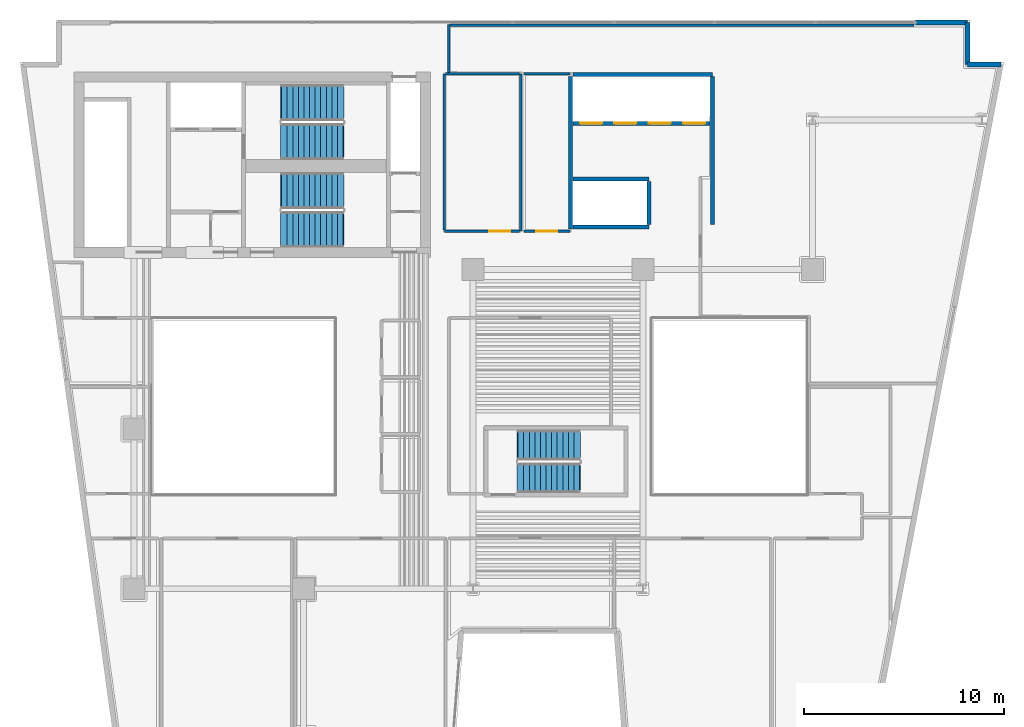
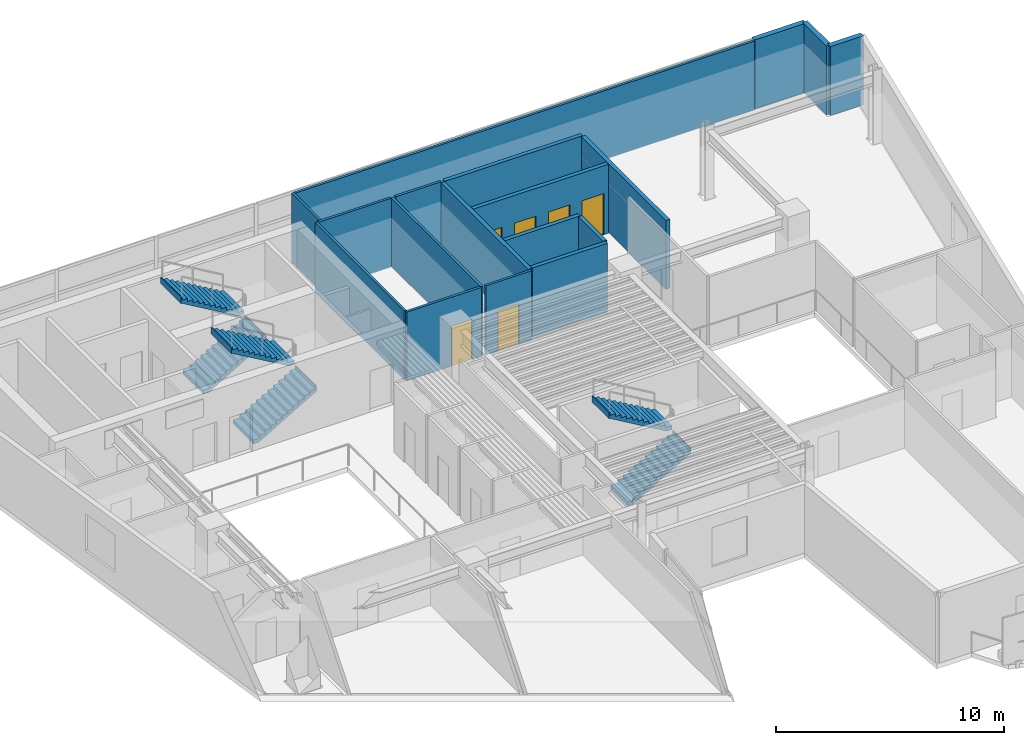
# One storey, part 8 of 13: 18 walls, 6 doors, 6 stair flights, 6 openings, 3 elements without a shape of their own.
"""IFC4 building model written with IfcOpenShell, lengths in metres."""

from ifc_helpers import new_model, si_unit, direction, frame, frame_2d, origin, place, context, subcontext, project, spatial, polyline, rectangle, outline, extrude, material, layer, layer_set, type_object, element, fill, aggregate, save


model = new_model("IFC4")

# Units and contexts
model_context = context("Model", 3, precision=1e-05, world=origin(), true_north=direction((0.0, 1.0)))
body_context = subcontext(model_context, "Body", "Model", "MODEL_VIEW")
ifc_project = project(units=[si_unit("LENGTHUNIT", "METRE"), si_unit("AREAUNIT", "SQUARE_METRE"), si_unit("VOLUMEUNIT", "CUBIC_METRE"), si_unit("PLANEANGLEUNIT", "RADIAN"), si_unit("MASSUNIT", "GRAM", prefix="KILO")], contexts=[model_context])

# Site, building, storey
site_placement = place(None, origin())
site = spatial("IfcSite", under=ifc_project, at=site_placement, CompositionType="ELEMENT")
building_placement = place(site_placement, origin())
building = spatial("IfcBuilding", under=site, at=building_placement, Name="Caeloran Harvest Quay", CompositionType="ELEMENT")
storey_placement = place(building_placement, frame((0.0, 0.0, 170.64990234375)))
storey = spatial("IfcBuildingStorey", under=building, at=storey_placement, Name="L40", CompositionType="ELEMENT", Elevation=170.64990234375)

# Walls
ifc_material_1 = material(Name="Precast concrete C50/60", Category="concrete")
ifc_layer_1 = layer(ifc_material_1, 0.260009765625, Name="Precast concrete C50/60")
ifc_layer_set_1 = layer_set([ifc_layer_1], Name="Precast concrete C50/60")
wall_type_1 = type_object("IfcWallType", Name="ENV-WALL-EW-260", PredefinedType="STANDARD", material=ifc_layer_set_1)
wall_1_placement = place(storey_placement, frame((47.669921875, 43.3701171875, 0.0), z_axis=(0.0, 0.0, 1.0), x_axis=(1.0, 0.0, 0.0)))
element("IfcWall", 1, at=wall_1_placement, inside=storey, type_object=wall_type_1, Name="L40 Exterior Facade Corner Pier Wall 6B", PredefinedType="STANDARD", context=body_context, shape_type="SweptSolid", body=[
    extrude(rectangle(XDim=2.60009765625, YDim=0.260009765625, at=frame_2d((1.300048828125, 0.0))), origin(), (0.0, 0.0, 1.0), 3.690185546875),
])
wall_2_placement = place(storey_placement, frame((50.27001953125, 43.3701171875, 0.0), z_axis=(0.0, 0.0, 1.0), x_axis=(0.0, -1.0, 0.0)))
element("IfcWall", 2, at=wall_2_placement, inside=storey, type_object=wall_type_1, Name="L40 Exterior Precast Concrete Facade Wall 7", PredefinedType="STANDARD", context=body_context, shape_type="SweptSolid", body=[
    extrude(rectangle(XDim=2.10009765625, YDim=0.260009765625, at=frame_2d((1.050048828125, 0.0))), origin(), (0.0, 0.0, 1.0), 3.690185546875),
])
wall_3_placement = place(storey_placement, frame((50.27001953125, 41.27001953125, 0.0), z_axis=(0.0, 0.0, 1.0), x_axis=(1.0, 0.0, 0.0)))
element("IfcWall", 3, at=wall_3_placement, inside=storey, type_object=wall_type_1, Name="L40 Exterior Precast Concrete Facade Wall 8", PredefinedType="STANDARD", context=body_context, shape_type="SweptSolid", body=[
    extrude(rectangle(XDim=1.671875, YDim=0.260009765625, at=frame_2d((0.8359375, 0.0))), origin(), (0.0, 0.0, 1.0), 3.690185546875),
])
ifc_material_2 = material(Name="Twin-Stud Mineral-Wool Acoustic Gypsum Partition", Category="gypsum")
ifc_layer_2 = layer(ifc_material_2, 0.125, Name="Twin-Stud Mineral-Wool Acoustic Gypsum Partition")
ifc_layer_set_2 = layer_set([ifc_layer_2], Name="Twin-Stud Mineral-Wool Acoustic Gypsum Partition")
wall_type_2 = type_object("IfcWallType", Name="INT-WALL-PW-125", PredefinedType="PARTITIONING", material=ifc_layer_set_2)
wall_4_placement = place(storey_placement, frame((27.8798828125, 40.800048828125, 0.0), z_axis=(0.0, 0.0, 1.0), x_axis=(0.0, -1.0, 0.0)))
element("IfcWall", 4, at=wall_4_placement, inside=storey, type_object=wall_type_2, Name="L40 Crop Phenotyping West Laboratory Partition Wall", PredefinedType="PARTITIONING", context=body_context, shape_type="SweptSolid", body=[
    extrude(rectangle(XDim=7.880126953125, YDim=0.125, at=frame_2d((3.93994140625, 0.0))), origin(), (0.0, 0.0, 1.0), 3.690185546875),
])

# Wall, opening, door
wall_5_placement = place(storey_placement, frame((27.8125, 32.919921875, 0.0), z_axis=(0.0, 0.0, 1.0), x_axis=(-1.0, 0.0, 0.0)))
wall_5 = element("IfcWall", 5, at=wall_5_placement, inside=storey, type_object=wall_type_2, Name="L40 Crop Phenotyping West Laboratory Partition Wall", PredefinedType="PARTITIONING", context=body_context, shape_type="SweptSolid", body=[
    extrude(rectangle(XDim=3.762451171875, YDim=0.125, at=frame_2d((1.88134765625, 0.0))), origin(), (0.0, 0.0, 1.0), 3.690185546875),
])
opening_1_placement = place(wall_5_placement, frame((0.466064453125, 0.0, 0.0)))
opening_1 = element("IfcOpeningElement", 6, at=opening_1_placement, cuts=wall_5, Name="Opening ID-03", PredefinedType="OPENING", context=body_context, shape_type="SweptSolid", body=[
    extrude(rectangle(XDim=1.050048828125, YDim=2.14990234375, at=frame_2d((0.52490234375, 1.074951171875))), frame((0.0, 0.072509765625, 0.0), z_axis=(0.0, -1.0, 0.0), x_axis=(1.0, 0.0, 0.0)), (0.0, 0.0, 1.0), 0.14501953125),
])
ifc_material_3 = material(Name="FSC Solid-Core Oak Timber Leaf", Category="wood")
door_type_1 = type_object("IfcDoorType", Name="INTDOOR-ID-03", OperationType="NOTDEFINED", PredefinedType="DOOR", material=ifc_material_3)
door_1_placement = place(opening_1_placement, origin())
door_1 = element("IfcDoor", 7, at=door_1_placement, inside=storey, type_object=door_type_1, Name="L40 Crop Phenotyping West Laboratory Access Door", OperationType="SINGLE_SWING_RIGHT", OverallHeight=2.14990234375, OverallWidth=1.050048828125, PredefinedType="DOOR", context=body_context, shape_type="SweptSolid", body=[
    extrude(rectangle(XDim=1.050048828125, YDim=2.14990234375, at=frame_2d((0.52490234375, 1.074951171875))), frame((0.0, 0.02490234375, 0.0), z_axis=(0.0, -1.0, 0.0), x_axis=(1.0, 0.0, 0.0)), (0.0, 0.0, 1.0), 0.050048828125),
])
fill(opening_1, door_1)

# Walls
wall_6_placement = place(storey_placement, frame((24.050048828125, 32.987548828125, 0.0), z_axis=(0.0, 0.0, 1.0), x_axis=(0.0, 1.0, 0.0)))
element("IfcWall", 8, at=wall_6_placement, inside=storey, type_object=wall_type_2, Name="L40 Crop Phenotyping West Laboratory Partition Wall", PredefinedType="PARTITIONING", context=body_context, shape_type="SweptSolid", body=[
    extrude(rectangle(XDim=7.8125, YDim=0.125, at=frame_2d((3.90625, 0.0))), origin(), (0.0, 0.0, 1.0), 3.690185546875),
])
wall_7_placement = place(storey_placement, frame((24.117431640625, 40.800048828125, 0.0), z_axis=(0.0, 0.0, 1.0), x_axis=(1.0, 0.0, 0.0)))
element("IfcWall", 9, at=wall_7_placement, inside=storey, type_object=wall_type_2, Name="L40 Crop Phenotyping West Laboratory Partition Wall", PredefinedType="PARTITIONING", context=body_context, shape_type="SweptSolid", body=[
    extrude(rectangle(XDim=3.695068359375, YDim=0.125, at=frame_2d((1.84765625, 0.0))), origin(), (0.0, 0.0, 1.0), 3.690185546875),
])

# Wall, opening, door
wall_8_placement = place(storey_placement, frame((30.35009765625, 32.919921875, 0.0), z_axis=(0.0, 0.0, 1.0), x_axis=(-1.0, 0.0, 0.0)))
wall_8 = element("IfcWall", 10, at=wall_8_placement, inside=storey, type_object=wall_type_2, Name="L40 Genomics Sequencing East Studio Partition Wall", PredefinedType="PARTITIONING", context=body_context, shape_type="SweptSolid", body=[
    extrude(rectangle(XDim=2.31005859375, YDim=0.125, at=frame_2d((1.155029296875, 0.0))), origin(), (0.0, 0.0, 1.0), 3.690185546875),
])
opening_2_placement = place(wall_8_placement, frame((0.6298828125, 0.0, 0.0)))
opening_2 = element("IfcOpeningElement", 11, at=opening_2_placement, cuts=wall_8, Name="Opening ID-03", PredefinedType="OPENING", context=body_context, shape_type="SweptSolid", body=[
    extrude(rectangle(XDim=1.050048828125, YDim=2.14990234375, at=frame_2d((0.52490234375, 1.074951171875))), frame((0.0, 0.072509765625, 0.0), z_axis=(0.0, -1.0, 0.0), x_axis=(1.0, 0.0, 0.0)), (0.0, 0.0, 1.0), 0.14501953125),
])
door_2_placement = place(opening_2_placement, origin())
door_2 = element("IfcDoor", 12, at=door_2_placement, inside=storey, type_object=door_type_1, Name="L40 Genomics Sequencing East Studio Access Door", OperationType="SINGLE_SWING_LEFT", OverallHeight=2.14990234375, OverallWidth=1.050048828125, PredefinedType="DOOR", context=body_context, shape_type="SweptSolid", body=[
    extrude(rectangle(XDim=1.050048828125, YDim=2.14990234375, at=frame_2d((0.52490234375, 1.074951171875))), frame((0.0, 0.02490234375, 0.0), z_axis=(0.0, -1.0, 0.0), x_axis=(1.0, 0.0, 0.0)), (0.0, 0.0, 1.0), 0.050048828125),
])
fill(opening_2, door_2)

# Walls
wall_9_placement = place(storey_placement, frame((28.0400390625, 40.800048828125, 0.0), z_axis=(0.0, 0.0, 1.0), x_axis=(1.0, 0.0, 0.0)))
element("IfcWall", 13, at=wall_9_placement, inside=storey, type_object=wall_type_2, Name="L40 Genomics Sequencing East Studio Partition Wall", PredefinedType="PARTITIONING", context=body_context, shape_type="SweptSolid", body=[
    extrude(rectangle(XDim=2.31005859375, YDim=0.125, at=frame_2d((1.155029296875, 0.0))), origin(), (0.0, 0.0, 1.0), 3.690185546875),
])
wall_10_placement = place(storey_placement, frame((24.280029296875, 40.867431640625, 0.0), z_axis=(0.0, 0.0, 1.0), x_axis=(0.0, 1.0, 0.0)))
element("IfcWall", 14, at=wall_10_placement, inside=storey, type_object=wall_type_2, Name="Investor Dining Salon Lounge 11 Partition Wall", PredefinedType="PARTITIONING", context=body_context, shape_type="SweptSolid", body=[
    extrude(rectangle(XDim=2.3974609375, YDim=0.125, at=frame_2d((1.19873046875, 0.0))), origin(), (0.0, 0.0, 1.0), 3.690185546875),
])
wall_11_placement = place(storey_placement, frame((24.347412109375, 43.239990234375, 0.0), z_axis=(0.0, 0.0, 1.0), x_axis=(1.0, 0.0, 0.0)))
element("IfcWall", 15, at=wall_11_placement, inside=storey, type_object=wall_type_2, Name="Investor Dining Salon Lounge 11 Partition Wall", PredefinedType="PARTITIONING", context=body_context, shape_type="SweptSolid", body=[
    extrude(rectangle(XDim=23.248046875, YDim=0.125, at=frame_2d((11.6240234375, 0.0))), origin(), (0.0, 0.0, 1.0), 3.690185546875),
])
ifc_material_4 = material(Name="Concrete C50/60", Category="concrete")
ifc_layer_3 = layer(ifc_material_4, 0.199951171875, Name="Concrete C50/60")
ifc_layer_set_3 = layer_set([ifc_layer_3], Name="Concrete C50/60")
wall_type_3 = type_object("IfcWallType", Name="INT-WALL-SW-200", PredefinedType="PARTITIONING", material=ifc_layer_set_3)
wall_12_placement = place(storey_placement, frame((30.3798828125, 33.02001953125, 0.0), z_axis=(0.0, 0.0, 1.0), x_axis=(0.0, 1.0, 0.0)))
element("IfcWall", 16, at=wall_12_placement, inside=storey, type_object=wall_type_3, Name="L40 Bank 2 and Shuttle Lift Shaft West Wall", PredefinedType="PARTITIONING", context=body_context, shape_type="SweptSolid", body=[
    extrude(rectangle(XDim=7.639892578125, YDim=0.199951171875, at=frame_2d((3.81982421875, 0.0))), origin(), (0.0, 0.0, 1.0), 3.690185546875),
])
wall_13_placement = place(storey_placement, frame((30.5, 40.780029296875, 0.0), z_axis=(0.0, 0.0, 1.0), x_axis=(1.0, 0.0, 0.0)))
element("IfcWall", 17, at=wall_13_placement, inside=storey, type_object=wall_type_3, Name="L40 Bank 2 Lift Shaft North Wall", PredefinedType="PARTITIONING", context=body_context, shape_type="SweptSolid", body=[
    extrude(rectangle(XDim=6.97998046875, YDim=0.199951171875, at=frame_2d((3.489990234375, 0.0))), origin(), (0.0, 0.0, 1.0), 3.690185546875),
])
wall_14_placement = place(storey_placement, frame((37.47998046875, 33.239990234375, 0.0), z_axis=(0.0, 0.0, 1.0), x_axis=(0.0, 1.0, 0.0)))
element("IfcWall", 18, at=wall_14_placement, inside=storey, type_object=wall_type_3, Name="L40 Bank 2 Lift Shaft East Wall", PredefinedType="PARTITIONING", context=body_context, shape_type="SweptSolid", body=[
    extrude(rectangle(XDim=7.419921875, YDim=0.199951171875, at=frame_2d((3.7099609375, 0.0))), origin(), (0.0, 0.0, 1.0), 3.690185546875),
])

# Wall, openings, doors
wall_15_placement = place(storey_placement, frame((30.5, 38.320068359375, 0.0), z_axis=(0.0, 0.0, 1.0), x_axis=(1.0, 0.0, 0.0)))
wall_15 = element("IfcWall", 19, at=wall_15_placement, inside=storey, type_object=wall_type_3, Name="L40 Bank 2 Lift Landing Front Wall", PredefinedType="PARTITIONING", context=body_context, shape_type="SweptSolid", body=[
    extrude(rectangle(XDim=6.860107421875, YDim=0.199951171875, at=frame_2d((3.43017578125, 0.0))), origin(), (0.0, 0.0, 1.0), 3.690185546875),
])
opening_3_placement = place(wall_15_placement, frame((0.360107421875, 0.0, 0.0)))
opening_3 = element("IfcOpeningElement", 20, at=opening_3_placement, cuts=wall_15, Name="Opening LD-01", PredefinedType="OPENING", context=body_context, shape_type="SweptSolid", body=[
    extrude(rectangle(XDim=1.10009765625, YDim=2.199951171875, at=frame_2d((0.550048828125, 1.10009765625))), frame((0.0, 0.10986328125, 0.0), z_axis=(0.0, -1.0, 0.0), x_axis=(1.0, 0.0, 0.0)), (0.0, 0.0, 1.0), 0.219970703125),
])
opening_4_placement = place(wall_15_placement, frame((2.080078125, 0.0, 0.0)))
opening_4 = element("IfcOpeningElement", 21, at=opening_4_placement, cuts=wall_15, Name="Opening LD-01", PredefinedType="OPENING", context=body_context, shape_type="SweptSolid", body=[
    extrude(rectangle(XDim=1.10009765625, YDim=2.199951171875, at=frame_2d((0.550048828125, 1.10009765625))), frame((0.0, 0.10986328125, 0.0), z_axis=(0.0, -1.0, 0.0), x_axis=(1.0, 0.0, 0.0)), (0.0, 0.0, 1.0), 0.219970703125),
])
opening_5_placement = place(wall_15_placement, frame((3.800048828125, 0.0, 0.0)))
opening_5 = element("IfcOpeningElement", 22, at=opening_5_placement, cuts=wall_15, Name="Opening LD-01", PredefinedType="OPENING", context=body_context, shape_type="SweptSolid", body=[
    extrude(rectangle(XDim=1.10009765625, YDim=2.199951171875, at=frame_2d((0.550048828125, 1.10009765625))), frame((0.0, 0.10986328125, 0.0), z_axis=(0.0, -1.0, 0.0), x_axis=(1.0, 0.0, 0.0)), (0.0, 0.0, 1.0), 0.219970703125),
])
opening_6_placement = place(wall_15_placement, frame((5.52001953125, 0.0, 0.0)))
opening_6 = element("IfcOpeningElement", 23, at=opening_6_placement, cuts=wall_15, Name="Opening LD-01", PredefinedType="OPENING", context=body_context, shape_type="SweptSolid", body=[
    extrude(rectangle(XDim=1.10009765625, YDim=2.199951171875, at=frame_2d((0.550048828125, 1.10009765625))), frame((0.0, 0.10986328125, 0.0), z_axis=(0.0, -1.0, 0.0), x_axis=(1.0, 0.0, 0.0)), (0.0, 0.0, 1.0), 0.219970703125),
])
ifc_material_5 = material(Name="Stainless Steel Grade 316", Category="steel")
door_type_2 = type_object("IfcDoorType", Name="INTDOOR-LD-01", OperationType="NOTDEFINED", PredefinedType="DOOR", material=ifc_material_5)
door_3_placement = place(opening_3_placement, origin())
door_3 = element("IfcDoor", 24, at=door_3_placement, inside=storey, type_object=door_type_2, Name="Lift P2-1 Sliding Landing Door (L40)", OperationType="DOUBLE_DOOR_SLIDING", OverallHeight=2.199951171875, OverallWidth=1.10009765625, PredefinedType="DOOR", context=body_context, shape_type="SweptSolid", body=[
    extrude(rectangle(XDim=1.10009765625, YDim=2.199951171875, at=frame_2d((0.550048828125, 1.10009765625))), frame((0.0, 0.02490234375, 0.0), z_axis=(0.0, -1.0, 0.0), x_axis=(1.0, 0.0, 0.0)), (0.0, 0.0, 1.0), 0.050048828125),
])
fill(opening_3, door_3)
door_4_placement = place(opening_4_placement, origin())
door_4 = element("IfcDoor", 25, at=door_4_placement, inside=storey, type_object=door_type_2, Name="Lift P2-2 Sliding Landing Door (L40)", OperationType="DOUBLE_DOOR_SLIDING", OverallHeight=2.199951171875, OverallWidth=1.10009765625, PredefinedType="DOOR", context=body_context, shape_type="SweptSolid", body=[
    extrude(rectangle(XDim=1.10009765625, YDim=2.199951171875, at=frame_2d((0.550048828125, 1.10009765625))), frame((0.0, 0.02490234375, 0.0), z_axis=(0.0, -1.0, 0.0), x_axis=(1.0, 0.0, 0.0)), (0.0, 0.0, 1.0), 0.050048828125),
])
fill(opening_4, door_4)
door_5_placement = place(opening_5_placement, origin())
door_5 = element("IfcDoor", 26, at=door_5_placement, inside=storey, type_object=door_type_2, Name="Lift P2-3 Sliding Landing Door (L40)", OperationType="DOUBLE_DOOR_SLIDING", OverallHeight=2.199951171875, OverallWidth=1.10009765625, PredefinedType="DOOR", context=body_context, shape_type="SweptSolid", body=[
    extrude(rectangle(XDim=1.10009765625, YDim=2.199951171875, at=frame_2d((0.550048828125, 1.10009765625))), frame((0.0, 0.02490234375, 0.0), z_axis=(0.0, -1.0, 0.0), x_axis=(1.0, 0.0, 0.0)), (0.0, 0.0, 1.0), 0.050048828125),
])
fill(opening_5, door_5)
door_6_placement = place(opening_6_placement, origin())
door_6 = element("IfcDoor", 27, at=door_6_placement, inside=storey, type_object=door_type_2, Name="Lift P2-4 Sliding Landing Door (L40)", OperationType="DOUBLE_DOOR_SLIDING", OverallHeight=2.199951171875, OverallWidth=1.10009765625, PredefinedType="DOOR", context=body_context, shape_type="SweptSolid", body=[
    extrude(rectangle(XDim=1.10009765625, YDim=2.199951171875, at=frame_2d((0.550048828125, 1.10009765625))), frame((0.0, 0.02490234375, 0.0), z_axis=(0.0, -1.0, 0.0), x_axis=(1.0, 0.0, 0.0)), (0.0, 0.0, 1.0), 0.050048828125),
])
fill(opening_6, door_6)

# Walls
for number, where, z_axis, x_axis, name in (
    (28, (30.5, 35.530029296875, 0.0), (0.0, 0.0, 1.0), (1.0, 0.0, 0.0), "L40 Shuttle Lift Landing Front Wall"),
    (29, (30.5, 33.1201171875, 0.0), (0.0, 0.0, 1.0), (1.0, 0.0, 0.0), "L40 Shuttle Lift Shaft South Wall"),
):
    element("IfcWall", number, at=place(storey_placement, frame(where, z_axis=z_axis, x_axis=x_axis)), inside=storey, type_object=wall_type_3, Name=name, PredefinedType="PARTITIONING", context=body_context, shape_type="SweptSolid", body=[
        extrude(rectangle(XDim=3.800048828125, YDim=0.199951171875, at=frame_2d((1.89990234375, 0.0))), origin(), (0.0, 0.0, 1.0), 3.690185546875),
    ])
wall_16_placement = place(storey_placement, frame((34.300048828125, 33.239990234375, 0.0), z_axis=(0.0, 0.0, 1.0), x_axis=(0.0, 1.0, 0.0)))
element("IfcWall", 30, at=wall_16_placement, inside=storey, type_object=wall_type_3, Name="L40 Shuttle Lift Shaft East Wall", PredefinedType="PARTITIONING", context=body_context, shape_type="SweptSolid", body=[
    extrude(rectangle(XDim=2.169921875, YDim=0.199951171875, at=frame_2d((1.0849609375, 0.0))), origin(), (0.0, 0.0, 1.0), 3.690185546875),
])

# Stair, stair flights
stair_type_1 = type_object("IfcStairType", Name="STAIR-STC-180", PredefinedType="HALF_TURN_STAIR", material=ifc_material_4)
stair_1_placement = place(storey_placement, origin())
stair_1 = element("IfcStair", 31, at=stair_1_placement, inside=storey, type_object=stair_type_1, Name="L40 Core Pressurized Exit Stair ST-C1", PredefinedType="HALF_TURN_STAIR")
stair_flight_type_1 = type_object("IfcStairFlightType", Name="FLIGHT-STC-180", PredefinedType="STRAIGHT", material=ifc_material_4)
stair_flight_1_placement = place(storey_placement, frame((15.89990234375, 37.39990234375, 0.0), z_axis=(0.0, 0.0, 1.0), x_axis=(1.0, 0.0, 0.0)))
stair_flight_1 = element("IfcStairFlight", 32, at=stair_flight_1_placement, type_object=stair_flight_type_1, Name="ST-C1 flight 1", NumberOfRisers=12, NumberOfTreads=11, PredefinedType="STRAIGHT", RiserHeight=0.164583333, TreadLength=0.28, context=body_context, shape_type="SweptSolid", body=[
    extrude(outline(polyline([(-0.054931640625, -0.044921875), (-0.054931640625, -0.031982421875), (-0.054931640625, -0.018798828125), (-0.054931640625, -0.005615234375), (-0.054931640625, 0.00732421875), (-0.054931640625, 0.0205078125), (-0.054931640625, 0.03369140625), (-0.054931640625, 0.046630859375), (-0.054931640625, 0.059814453125), (-0.054931640625, 0.072998046875), (-0.054931640625, 0.0859375), (-0.054931640625, 0.09912109375), (-0.054931640625, 0.1123046875), (-0.054931640625, 0.125244140625), (-0.054931640625, 0.138427734375), (-0.054931640625, 0.1513671875), (-0.054931640625, 0.16455078125), (0.280029296875, 0.16455078125), (0.280029296875, 0.3291015625), (0.56005859375, 0.3291015625), (0.56005859375, 0.49365234375), (0.840087890625, 0.49365234375), (0.840087890625, 0.658447265625), (1.1201171875, 0.658447265625), (1.1201171875, 0.822998046875), (1.39990234375, 0.822998046875), (1.39990234375, 0.987548828125), (1.679931640625, 0.987548828125), (1.679931640625, 1.152099609375), (1.9599609375, 1.152099609375), (1.9599609375, 1.316650390625), (2.239990234375, 1.316650390625), (2.239990234375, 1.481201171875), (2.52001953125, 1.481201171875), (2.52001953125, 1.645751953125), (2.800048828125, 1.645751953125), (2.800048828125, 1.810302734375), (3.080078125, 1.810302734375), (3.080078125, 1.97509765625), (3.135009765625, 1.97509765625), (3.135009765625, 1.953857421875), (3.135009765625, 1.9326171875), (3.135009765625, 1.91162109375), (3.135009765625, 1.890380859375), (3.135009765625, 1.869140625), (3.135009765625, 1.84814453125), (3.135009765625, 1.826904296875), (3.135009765625, 1.8056640625), (3.135009765625, 1.78466796875), (3.135009765625, 1.763427734375), (3.135009765625, 1.7421875), (3.135009765625, 1.72119140625), (3.135009765625, 1.699951171875), (3.135009765625, 1.678955078125), (3.135009765625, 1.65771484375), (3.135009765625, 1.636474609375), (3.080078125, 1.636474609375), (0.21923828125, -0.044921875), (-0.054931640625, -0.044921875)])), frame((0.0, 0.89990234375, 0.0), z_axis=(0.0, -1.0, 0.0), x_axis=(1.0, 0.0, 0.0)), (0.0, 0.0, 1.0), 1.800048828125),
])
stair_flight_2_placement = place(storey_placement, frame((18.97998046875, 39.35009765625, 1.97509765625), z_axis=(0.0, 0.0, 1.0), x_axis=(-1.0, 0.0, 0.0)))
stair_flight_2 = element("IfcStairFlight", 33, at=stair_flight_2_placement, type_object=stair_flight_type_1, Name="ST-C1 flight 2", NumberOfRisers=12, NumberOfTreads=11, PredefinedType="STRAIGHT", RiserHeight=0.164583333, TreadLength=0.28, context=body_context, shape_type="SweptSolid", body=[
    extrude(outline(polyline([(-0.054931640625, -0.044921875), (-0.054931640625, -0.031982421875), (-0.054931640625, -0.018798828125), (-0.054931640625, -0.005615234375), (-0.054931640625, 0.00732421875), (-0.054931640625, 0.0205078125), (-0.054931640625, 0.03369140625), (-0.054931640625, 0.046630859375), (-0.054931640625, 0.059814453125), (-0.054931640625, 0.072998046875), (-0.054931640625, 0.0859375), (-0.054931640625, 0.09912109375), (-0.054931640625, 0.1123046875), (-0.054931640625, 0.125244140625), (-0.054931640625, 0.138427734375), (-0.054931640625, 0.1513671875), (-0.054931640625, 0.16455078125), (0.280029296875, 0.16455078125), (0.280029296875, 0.3291015625), (0.56005859375, 0.3291015625), (0.56005859375, 0.49365234375), (0.840087890625, 0.49365234375), (0.840087890625, 0.658447265625), (1.1201171875, 0.658447265625), (1.1201171875, 0.822998046875), (1.39990234375, 0.822998046875), (1.39990234375, 0.987548828125), (1.679931640625, 0.987548828125), (1.679931640625, 1.152099609375), (1.9599609375, 1.152099609375), (1.9599609375, 1.316650390625), (2.239990234375, 1.316650390625), (2.239990234375, 1.481201171875), (2.52001953125, 1.481201171875), (2.52001953125, 1.645751953125), (2.800048828125, 1.645751953125), (2.800048828125, 1.810302734375), (3.080078125, 1.810302734375), (3.080078125, 1.97509765625), (3.135009765625, 1.97509765625), (3.135009765625, 1.953857421875), (3.135009765625, 1.9326171875), (3.135009765625, 1.91162109375), (3.135009765625, 1.890380859375), (3.135009765625, 1.869140625), (3.135009765625, 1.84814453125), (3.135009765625, 1.826904296875), (3.135009765625, 1.8056640625), (3.135009765625, 1.78466796875), (3.135009765625, 1.763427734375), (3.135009765625, 1.7421875), (3.135009765625, 1.72119140625), (3.135009765625, 1.699951171875), (3.135009765625, 1.678955078125), (3.135009765625, 1.65771484375), (3.135009765625, 1.636474609375), (3.080078125, 1.636474609375), (0.21923828125, -0.044921875), (-0.054931640625, -0.044921875)])), frame((0.0, 0.89990234375, 0.0), z_axis=(0.0, -1.0, 0.0), x_axis=(1.0, 0.0, 0.0)), (0.0, 0.0, 1.0), 1.800048828125),
])
aggregate(stair_1, [stair_flight_1, stair_flight_2])

stair_2_placement = place(storey_placement, origin())
stair_2 = element("IfcStair", 34, at=stair_2_placement, inside=storey, type_object=stair_type_1, Name="L40 Core Pressurized Exit Stair ST-C2", PredefinedType="HALF_TURN_STAIR")
stair_flight_3_placement = place(storey_placement, frame((15.89990234375, 33.0, 0.0), z_axis=(0.0, 0.0, 1.0), x_axis=(1.0, 0.0, 0.0)))
stair_flight_3 = element("IfcStairFlight", 35, at=stair_flight_3_placement, type_object=stair_flight_type_1, Name="ST-C2 flight 1", NumberOfRisers=12, NumberOfTreads=11, PredefinedType="STRAIGHT", RiserHeight=0.164583333, TreadLength=0.28, context=body_context, shape_type="SweptSolid", body=[
    extrude(outline(polyline([(-0.054931640625, -0.044921875), (-0.054931640625, -0.031982421875), (-0.054931640625, -0.018798828125), (-0.054931640625, -0.005615234375), (-0.054931640625, 0.00732421875), (-0.054931640625, 0.0205078125), (-0.054931640625, 0.03369140625), (-0.054931640625, 0.046630859375), (-0.054931640625, 0.059814453125), (-0.054931640625, 0.072998046875), (-0.054931640625, 0.0859375), (-0.054931640625, 0.09912109375), (-0.054931640625, 0.1123046875), (-0.054931640625, 0.125244140625), (-0.054931640625, 0.138427734375), (-0.054931640625, 0.1513671875), (-0.054931640625, 0.16455078125), (0.280029296875, 0.16455078125), (0.280029296875, 0.3291015625), (0.56005859375, 0.3291015625), (0.56005859375, 0.49365234375), (0.840087890625, 0.49365234375), (0.840087890625, 0.658447265625), (1.1201171875, 0.658447265625), (1.1201171875, 0.822998046875), (1.39990234375, 0.822998046875), (1.39990234375, 0.987548828125), (1.679931640625, 0.987548828125), (1.679931640625, 1.152099609375), (1.9599609375, 1.152099609375), (1.9599609375, 1.316650390625), (2.239990234375, 1.316650390625), (2.239990234375, 1.481201171875), (2.52001953125, 1.481201171875), (2.52001953125, 1.645751953125), (2.800048828125, 1.645751953125), (2.800048828125, 1.810302734375), (3.080078125, 1.810302734375), (3.080078125, 1.97509765625), (3.135009765625, 1.97509765625), (3.135009765625, 1.953857421875), (3.135009765625, 1.9326171875), (3.135009765625, 1.91162109375), (3.135009765625, 1.890380859375), (3.135009765625, 1.869140625), (3.135009765625, 1.84814453125), (3.135009765625, 1.826904296875), (3.135009765625, 1.8056640625), (3.135009765625, 1.78466796875), (3.135009765625, 1.763427734375), (3.135009765625, 1.7421875), (3.135009765625, 1.72119140625), (3.135009765625, 1.699951171875), (3.135009765625, 1.678955078125), (3.135009765625, 1.65771484375), (3.135009765625, 1.636474609375), (3.080078125, 1.636474609375), (0.21923828125, -0.044921875), (-0.054931640625, -0.044921875)])), frame((0.0, 0.89990234375, 0.0), z_axis=(0.0, -1.0, 0.0), x_axis=(1.0, 0.0, 0.0)), (0.0, 0.0, 1.0), 1.800048828125),
])
stair_flight_4_placement = place(storey_placement, frame((18.97998046875, 34.949951171875, 1.97509765625), z_axis=(0.0, 0.0, 1.0), x_axis=(-1.0, 0.0, 0.0)))
stair_flight_4 = element("IfcStairFlight", 36, at=stair_flight_4_placement, type_object=stair_flight_type_1, Name="ST-C2 flight 2", NumberOfRisers=12, NumberOfTreads=11, PredefinedType="STRAIGHT", RiserHeight=0.164583333, TreadLength=0.28, context=body_context, shape_type="SweptSolid", body=[
    extrude(outline(polyline([(-0.054931640625, -0.044921875), (-0.054931640625, -0.031982421875), (-0.054931640625, -0.018798828125), (-0.054931640625, -0.005615234375), (-0.054931640625, 0.00732421875), (-0.054931640625, 0.0205078125), (-0.054931640625, 0.03369140625), (-0.054931640625, 0.046630859375), (-0.054931640625, 0.059814453125), (-0.054931640625, 0.072998046875), (-0.054931640625, 0.0859375), (-0.054931640625, 0.09912109375), (-0.054931640625, 0.1123046875), (-0.054931640625, 0.125244140625), (-0.054931640625, 0.138427734375), (-0.054931640625, 0.1513671875), (-0.054931640625, 0.16455078125), (0.280029296875, 0.16455078125), (0.280029296875, 0.3291015625), (0.56005859375, 0.3291015625), (0.56005859375, 0.49365234375), (0.840087890625, 0.49365234375), (0.840087890625, 0.658447265625), (1.1201171875, 0.658447265625), (1.1201171875, 0.822998046875), (1.39990234375, 0.822998046875), (1.39990234375, 0.987548828125), (1.679931640625, 0.987548828125), (1.679931640625, 1.152099609375), (1.9599609375, 1.152099609375), (1.9599609375, 1.316650390625), (2.239990234375, 1.316650390625), (2.239990234375, 1.481201171875), (2.52001953125, 1.481201171875), (2.52001953125, 1.645751953125), (2.800048828125, 1.645751953125), (2.800048828125, 1.810302734375), (3.080078125, 1.810302734375), (3.080078125, 1.97509765625), (3.135009765625, 1.97509765625), (3.135009765625, 1.953857421875), (3.135009765625, 1.9326171875), (3.135009765625, 1.91162109375), (3.135009765625, 1.890380859375), (3.135009765625, 1.869140625), (3.135009765625, 1.84814453125), (3.135009765625, 1.826904296875), (3.135009765625, 1.8056640625), (3.135009765625, 1.78466796875), (3.135009765625, 1.763427734375), (3.135009765625, 1.7421875), (3.135009765625, 1.72119140625), (3.135009765625, 1.699951171875), (3.135009765625, 1.678955078125), (3.135009765625, 1.65771484375), (3.135009765625, 1.636474609375), (3.080078125, 1.636474609375), (0.21923828125, -0.044921875), (-0.054931640625, -0.044921875)])), frame((0.0, 0.89990234375, 0.0), z_axis=(0.0, -1.0, 0.0), x_axis=(1.0, 0.0, 0.0)), (0.0, 0.0, 1.0), 1.800048828125),
])
aggregate(stair_2, [stair_flight_3, stair_flight_4])

stair_type_2 = type_object("IfcStairType", Name="STAIR-STW-150", PredefinedType="HALF_TURN_STAIR", material=ifc_material_4)
stair_3_placement = place(storey_placement, origin())
stair_3 = element("IfcStair", 37, at=stair_3_placement, inside=storey, type_object=stair_type_2, Name="L40 East Wing Protected Exit Stair ST-W1", PredefinedType="HALF_TURN_STAIR")
stair_flight_type_2 = type_object("IfcStairFlightType", Name="FLIGHT-STW-150", PredefinedType="STRAIGHT", material=ifc_material_4)
stair_flight_5_placement = place(storey_placement, frame((27.75, 20.550048828125, 0.0), z_axis=(0.0, 0.0, 1.0), x_axis=(1.0, 0.0, 0.0)))
stair_flight_5 = element("IfcStairFlight", 38, at=stair_flight_5_placement, type_object=stair_flight_type_2, Name="ST-W1 flight 1", NumberOfRisers=12, NumberOfTreads=11, PredefinedType="STRAIGHT", RiserHeight=0.164583333, TreadLength=0.28, context=body_context, shape_type="SweptSolid", body=[
    extrude(outline(polyline([(-0.054931640625, -0.044921875), (-0.054931640625, -0.031982421875), (-0.054931640625, -0.018798828125), (-0.054931640625, -0.005615234375), (-0.054931640625, 0.00732421875), (-0.054931640625, 0.0205078125), (-0.054931640625, 0.03369140625), (-0.054931640625, 0.046630859375), (-0.054931640625, 0.059814453125), (-0.054931640625, 0.072998046875), (-0.054931640625, 0.0859375), (-0.054931640625, 0.09912109375), (-0.054931640625, 0.1123046875), (-0.054931640625, 0.125244140625), (-0.054931640625, 0.138427734375), (-0.054931640625, 0.1513671875), (-0.054931640625, 0.16455078125), (0.280029296875, 0.16455078125), (0.280029296875, 0.3291015625), (0.56005859375, 0.3291015625), (0.56005859375, 0.49365234375), (0.840087890625, 0.49365234375), (0.840087890625, 0.658447265625), (1.1201171875, 0.658447265625), (1.1201171875, 0.822998046875), (1.39990234375, 0.822998046875), (1.39990234375, 0.987548828125), (1.679931640625, 0.987548828125), (1.679931640625, 1.152099609375), (1.9599609375, 1.152099609375), (1.9599609375, 1.316650390625), (2.239990234375, 1.316650390625), (2.239990234375, 1.481201171875), (2.52001953125, 1.481201171875), (2.52001953125, 1.645751953125), (2.800048828125, 1.645751953125), (2.800048828125, 1.810302734375), (3.080078125, 1.810302734375), (3.080078125, 1.97509765625), (3.135009765625, 1.97509765625), (3.135009765625, 1.953857421875), (3.135009765625, 1.9326171875), (3.135009765625, 1.91162109375), (3.135009765625, 1.890380859375), (3.135009765625, 1.869140625), (3.135009765625, 1.84814453125), (3.135009765625, 1.826904296875), (3.135009765625, 1.8056640625), (3.135009765625, 1.78466796875), (3.135009765625, 1.763427734375), (3.135009765625, 1.7421875), (3.135009765625, 1.72119140625), (3.135009765625, 1.699951171875), (3.135009765625, 1.678955078125), (3.135009765625, 1.65771484375), (3.135009765625, 1.636474609375), (3.080078125, 1.636474609375), (0.21923828125, -0.044921875), (-0.054931640625, -0.044921875)])), frame((0.0, 0.75, 0.0), z_axis=(0.0, -1.0, 0.0), x_axis=(1.0, 0.0, 0.0)), (0.0, 0.0, 1.0), 1.5),
])
stair_flight_6_placement = place(storey_placement, frame((30.830078125, 22.199951171875, 1.97509765625), z_axis=(0.0, 0.0, 1.0), x_axis=(-1.0, 0.0, 0.0)))
stair_flight_6 = element("IfcStairFlight", 39, at=stair_flight_6_placement, type_object=stair_flight_type_2, Name="ST-W1 flight 2", NumberOfRisers=12, NumberOfTreads=11, PredefinedType="STRAIGHT", RiserHeight=0.164583333, TreadLength=0.28, context=body_context, shape_type="SweptSolid", body=[
    extrude(outline(polyline([(-0.054931640625, -0.044921875), (-0.054931640625, -0.031982421875), (-0.054931640625, -0.018798828125), (-0.054931640625, -0.005615234375), (-0.054931640625, 0.00732421875), (-0.054931640625, 0.0205078125), (-0.054931640625, 0.03369140625), (-0.054931640625, 0.046630859375), (-0.054931640625, 0.059814453125), (-0.054931640625, 0.072998046875), (-0.054931640625, 0.0859375), (-0.054931640625, 0.09912109375), (-0.054931640625, 0.1123046875), (-0.054931640625, 0.125244140625), (-0.054931640625, 0.138427734375), (-0.054931640625, 0.1513671875), (-0.054931640625, 0.16455078125), (0.280029296875, 0.16455078125), (0.280029296875, 0.3291015625), (0.56005859375, 0.3291015625), (0.56005859375, 0.49365234375), (0.840087890625, 0.49365234375), (0.840087890625, 0.658447265625), (1.1201171875, 0.658447265625), (1.1201171875, 0.822998046875), (1.39990234375, 0.822998046875), (1.39990234375, 0.987548828125), (1.679931640625, 0.987548828125), (1.679931640625, 1.152099609375), (1.9599609375, 1.152099609375), (1.9599609375, 1.316650390625), (2.239990234375, 1.316650390625), (2.239990234375, 1.481201171875), (2.52001953125, 1.481201171875), (2.52001953125, 1.645751953125), (2.800048828125, 1.645751953125), (2.800048828125, 1.810302734375), (3.080078125, 1.810302734375), (3.080078125, 1.97509765625), (3.135009765625, 1.97509765625), (3.135009765625, 1.953857421875), (3.135009765625, 1.9326171875), (3.135009765625, 1.91162109375), (3.135009765625, 1.890380859375), (3.135009765625, 1.869140625), (3.135009765625, 1.84814453125), (3.135009765625, 1.826904296875), (3.135009765625, 1.8056640625), (3.135009765625, 1.78466796875), (3.135009765625, 1.763427734375), (3.135009765625, 1.7421875), (3.135009765625, 1.72119140625), (3.135009765625, 1.699951171875), (3.135009765625, 1.678955078125), (3.135009765625, 1.65771484375), (3.135009765625, 1.636474609375), (3.080078125, 1.636474609375), (0.21923828125, -0.044921875), (-0.054931640625, -0.044921875)])), frame((0.0, 0.75, 0.0), z_axis=(0.0, -1.0, 0.0), x_axis=(1.0, 0.0, 0.0)), (0.0, 0.0, 1.0), 1.5),
])
aggregate(stair_3, [stair_flight_5, stair_flight_6])

save(model, "model.ifc")
